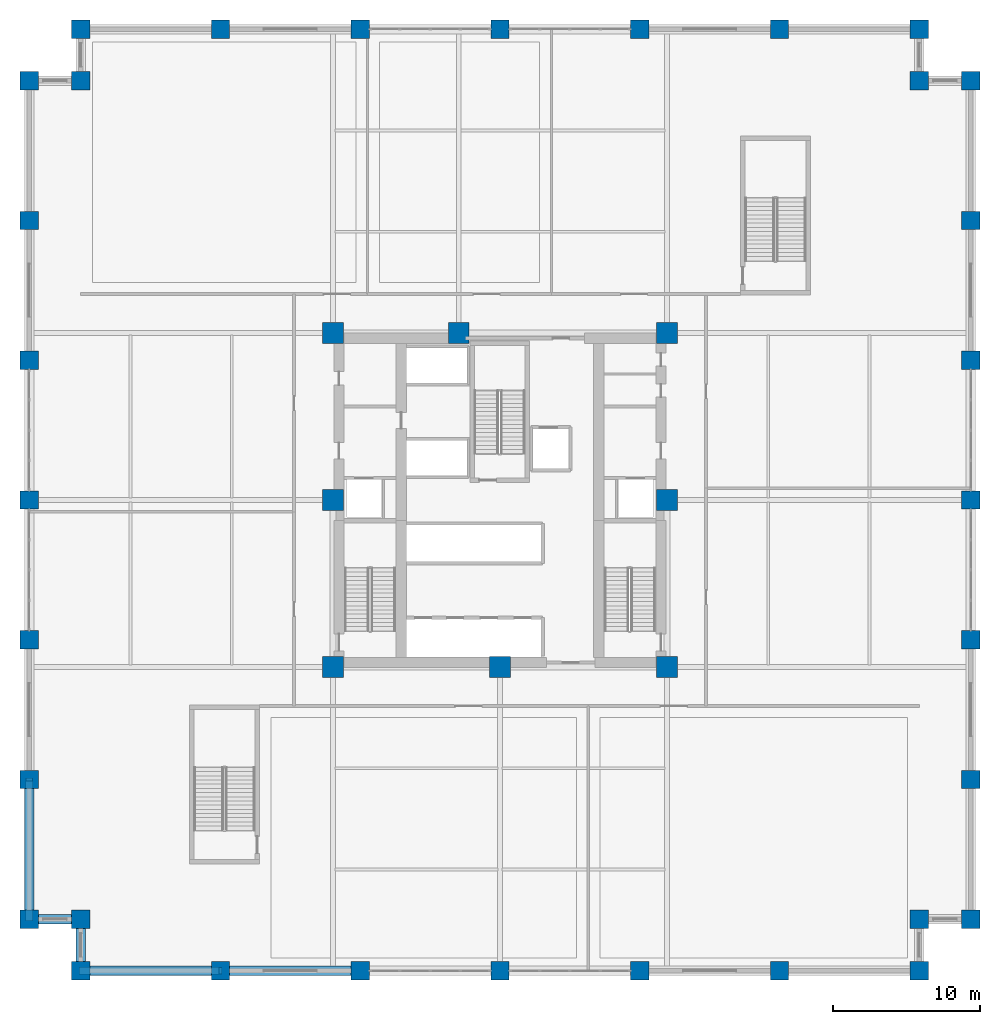
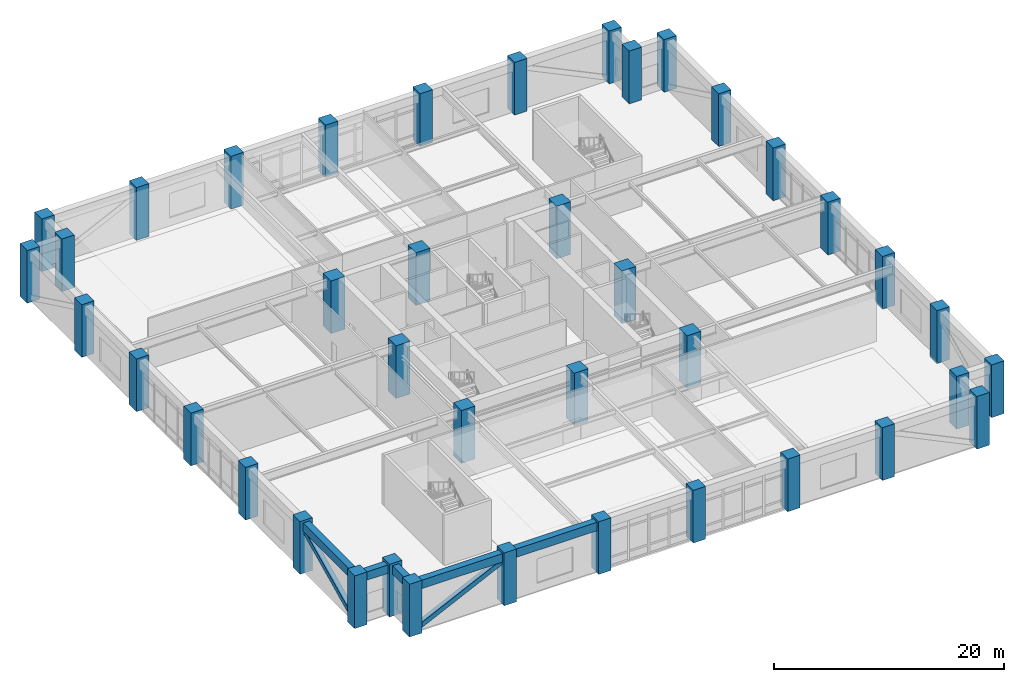
# One storey, part 1 of 21: 40 columns, 5 beams, 2 members.
"""IFC4 building model written with IfcOpenShell, lengths in metres."""

import ifcopenshell
import ifcopenshell.guid

model = None  # the IFC model being written
_history = None  # IfcOwnerHistory: only IFC2X3 demands one
_inside = {}  # id of a spatial element -> (the spatial element, [elements in it])
_under = {}  # id of a project, library or spatial element -> (it, [spatial elements below it])
_declared = {}  # id of a project -> (the project, [libraries it declares])
_typed = {}  # id of a type object -> (the type object, [elements of that type])
_made_of = {}  # id of a material, layer set ... -> (it, [elements and type objects made of it])


def new_model(schema):
    """Start an empty IFC model of exactly this schema.

    Asked for "IFC4X3", IfcOpenShell would pick the latest addendum, in which some entities
    have other attributes; the version numbers below select the first issue.
    IFC2X3 requires an IfcOwnerHistory on every rooted entity: one is made here for all.
    """
    global model, _history
    if schema == "IFC4X3":
        model = ifcopenshell.file(schema_version=(4, 3, 0, 0))
    else:
        model = ifcopenshell.file(schema=schema)
    _inside.clear()
    _under.clear()
    _declared.clear()
    _typed.clear()
    _made_of.clear()
    _history = None
    if model.schema == "IFC2X3":
        org = make("IfcOrganization", Name="unknown")
        user = make(
            "IfcPersonAndOrganization",
            ThePerson=make("IfcPerson", FamilyName="unknown"),
            TheOrganization=org,
        )
        app = make(
            "IfcApplication",
            ApplicationDeveloper=org,
            Version="unknown",
            ApplicationFullName="unknown",
            ApplicationIdentifier="unknown",
        )
        _history = make(
            "IfcOwnerHistory",
            OwningUser=user,
            OwningApplication=app,
            ChangeAction="ADDED",
            CreationDate=0,
        )
    return model


def make(cls, **values):
    """One entity of the class cls with the attributes given. An attribute that is None is left unset."""
    return model.create_entity(
        cls, **{name: value for name, value in values.items() if value is not None}
    )


def rooted(cls, **values):
    """An entity with a GlobalId (a new one), such as an element, a storey or a relation."""
    return make(cls, GlobalId=ifcopenshell.guid.new(), OwnerHistory=_history, **values)


def si_unit(unit_type, name, prefix=None):
    """IfcSIUnit, for example si_unit("LENGTHUNIT", "METRE", prefix="MILLI")."""
    return make("IfcSIUnit", UnitType=unit_type, Prefix=prefix, Name=name)


def assignment(units):
    """IfcUnitAssignment: the units of a project."""
    return None if units is None else make("IfcUnitAssignment", Units=units)


def point(xyz):
    """IfcCartesianPoint."""
    return None if xyz is None else make("IfcCartesianPoint", Coordinates=xyz)


def direction(xyz):
    """IfcDirection."""
    return None if xyz is None else make("IfcDirection", DirectionRatios=xyz)


def frame(location, z_axis=None, x_axis=None):
    """IfcAxis2Placement3D, a coordinate frame: its origin and axes. An axis left out is left unset."""
    return make(
        "IfcAxis2Placement3D",
        Location=point(location),
        Axis=direction(z_axis),
        RefDirection=direction(x_axis),
    )


def frame_2d(location, x_axis=None):
    """IfcAxis2Placement2D, a coordinate frame in the plane: its origin and x axis."""
    return make(
        "IfcAxis2Placement2D", Location=point(location), RefDirection=direction(x_axis)
    )


def origin():
    """The frame at (0, 0, 0) with its axes left unset."""
    return frame((0.0, 0.0, 0.0))


def origin_2d():
    """The frame at (0, 0) in the plane with its x axis left unset."""
    return frame_2d((0.0, 0.0))


def place(relative_to, where):
    """IfcLocalPlacement: puts the frame where relative to a parent placement (None: the world)."""
    return make(
        "IfcLocalPlacement", PlacementRelTo=relative_to, RelativePlacement=where
    )


def context(
    kind, dimensions, precision=None, world=None, true_north=None, identifier=None
):
    """IfcGeometricRepresentationContext, for example the 3D "Model" context."""
    return make(
        "IfcGeometricRepresentationContext",
        ContextIdentifier=identifier,
        ContextType=kind,
        CoordinateSpaceDimension=dimensions,
        Precision=precision,
        WorldCoordinateSystem=world,
        TrueNorth=true_north,
    )


def subcontext(parent, identifier, kind, view, scale=None):
    """IfcGeometricRepresentationSubContext, for example "Body" below "Model"."""
    return make(
        "IfcGeometricRepresentationSubContext",
        ContextIdentifier=identifier,
        ContextType=kind,
        ParentContext=parent,
        TargetScale=scale,
        TargetView=view,
    )


def project(units=None, contexts=None):
    """IfcProject with its units and contexts."""
    return rooted(
        "IfcProject",
        Name="project",
        RepresentationContexts=contexts,
        UnitsInContext=assignment(units),
    )


def spatial(cls, under=None, at=None, **own):
    """A site, building, storey or space (cls), placed at a placement, below another one or the project."""
    s = rooted(cls, ObjectPlacement=at, **own)
    if under is not None:
        _under.setdefault(under.id(), (under, []))[1].append(s)
    return s


def profile(cls, at=None, kind="AREA", **sizes):
    """A parametric profile (cls). Its sizes go by their IFC names, for example OverallWidth=200.0."""
    return make(cls, ProfileType=kind, Position=at, **sizes)


def rectangle(**sizes):
    """IfcRectangleProfileDef."""
    return profile("IfcRectangleProfileDef", **sizes)


def hollow_rectangle(**sizes):
    """IfcRectangleHollowProfileDef."""
    return profile("IfcRectangleHollowProfileDef", **sizes)


def extrude(swept, where, along, depth):
    """IfcExtrudedAreaSolid: the profile swept, set in the frame where, extruded along a direction by depth."""
    return make(
        "IfcExtrudedAreaSolid",
        SweptArea=swept,
        Position=where,
        ExtrudedDirection=direction(along),
        Depth=depth,
    )


def shape(context_of_items, identifier, shape_type, items):
    """IfcShapeRepresentation: the items that make up one representation, for example the "Body"."""
    return make(
        "IfcShapeRepresentation",
        ContextOfItems=context_of_items,
        RepresentationIdentifier=identifier,
        RepresentationType=shape_type,
        Items=items,
    )


def material(Name=None, Category=None):
    """IfcMaterial."""
    return make("IfcMaterial", Name=Name, Category=Category)


def material_profile(
    of_material, cross_section, Name=None, Category=None, Priority=None
):
    """IfcMaterialProfile: a cross section and its material."""
    return make(
        "IfcMaterialProfile",
        Name=Name,
        Material=of_material,
        Profile=cross_section,
        Priority=Priority,
        Category=Category,
    )


def profile_set(profiles, Name=None, composite=None):
    """IfcMaterialProfileSet."""
    return make(
        "IfcMaterialProfileSet",
        Name=Name,
        MaterialProfiles=profiles,
        CompositeProfile=composite,
    )


def made_of(thing, what):
    """Note that an element or type object is made of a material, layer set ...; save() writes the relation."""
    if what is not None:
        _made_of.setdefault(what.id(), (what, []))[1].append(thing)
    return thing


def type_object(cls, material=None, **own):
    """A type object (cls), such as IfcWallType, which elements share."""
    return made_of(rooted(cls, **own), material)


def element(
    cls,
    number,
    at=None,
    inside=None,
    cuts=None,
    type_object=None,
    material=None,
    context=None,
    identifier="Body",
    shape_type=None,
    held_by="IfcProductDefinitionShape",
    body=None,
    shapes=None,
    **own,
):
    """One element of the class cls, such as IfcWall. Its Tag is "e" and its number.

    at: its placement. inside: the storey or other place that contains it. cuts: it is an
    opening in that element (IfcRelVoidsElement). A single representation is given by context,
    identifier, shape_type and body (its items); several are given by shapes. held_by: the class
    of the entity that holds the representations. save() writes the other relations.
    """
    e = rooted(cls, Tag="e%d" % number, ObjectPlacement=at, **own)
    if body is not None:
        shapes = [shape(context, identifier, shape_type, body)]
    if shapes is not None:
        e.Representation = make(held_by, Representations=shapes)
    if inside is not None:
        _inside.setdefault(inside.id(), (inside, []))[1].append(e)
    if cuts is not None:
        rooted(
            "IfcRelVoidsElement", RelatingBuildingElement=cuts, RelatedOpeningElement=e
        )
    if type_object is not None:
        _typed.setdefault(type_object.id(), (type_object, []))[1].append(e)
    return made_of(e, material)


def aggregate(whole, parts):
    """IfcRelAggregates: a whole, such as a stair, and the parts it consists of."""
    return rooted("IfcRelAggregates", RelatingObject=whole, RelatedObjects=parts)


def save(model, path):
    """Write the relations noted so far, then the file.

    IfcRelAggregates (storeys below a building ...), IfcRelContainedInSpatialStructure (elements
    in a storey), IfcRelDefinesByType, IfcRelAssociatesMaterial and IfcRelDeclares: one each for
    every whole, place, type object, material and project.
    """
    for whole, parts in _under.values():
        aggregate(whole, parts)
    for where, things in _inside.values():
        rooted(
            "IfcRelContainedInSpatialStructure",
            RelatedElements=things,
            RelatingStructure=where,
        )
    for kind, things in _typed.values():
        rooted("IfcRelDefinesByType", RelatedObjects=things, RelatingType=kind)
    for what, things in _made_of.values():
        rooted("IfcRelAssociatesMaterial", RelatedObjects=things, RelatingMaterial=what)
    for by, libraries in _declared.values():
        rooted("IfcRelDeclares", RelatingContext=by, RelatedDefinitions=libraries)
    model.write(path)


model = new_model("IFC4")

# Units and contexts
model_context = context("Model", 3, precision=1e-05, world=origin(), true_north=direction((0.0, 1.0)))
body_context = subcontext(model_context, "Body", "Model", "MODEL_VIEW")
ifc_project = project(units=[si_unit("LENGTHUNIT", "METRE"), si_unit("AREAUNIT", "SQUARE_METRE"), si_unit("VOLUMEUNIT", "CUBIC_METRE"), si_unit("PLANEANGLEUNIT", "RADIAN"), si_unit("MASSUNIT", "GRAM", prefix="KILO")], contexts=[model_context])

# Site, building, storey
site_placement = place(None, origin())
site = spatial("IfcSite", under=ifc_project, at=site_placement, CompositionType="ELEMENT")
building_placement = place(site_placement, origin())
building = spatial("IfcBuilding", under=site, at=building_placement, Name="Nhamokura Convention Tower", CompositionType="ELEMENT")
storey_placement = place(building_placement, frame((0.0, 0.0, 6.64990234375)))
storey = spatial("IfcBuildingStorey", under=building, at=storey_placement, Name="L01", CompositionType="ELEMENT", Elevation=6.64990234375)

# Columns
ifc_material_1 = material(Name="Concrete C70/85", Category="concrete")
ifc_material_profile_1 = material_profile(ifc_material_1, rectangle(XDim=1.39990234375, YDim=1.39990234375, at=origin_2d()))
ifc_profile_set_1 = profile_set([ifc_material_profile_1], Name="Concrete C70/85")
column_type_1 = type_object("IfcColumnType", Name="TubeColumn_B_1400", PredefinedType="COLUMN", material=ifc_profile_set_1)
for number, where, z_axis, x_axis, name in (
    (1, (20.64990234375, 20.64990234375, 0.0), (0.0, 0.0, 1.0), (1.0, 0.0, 0.0), "L01 Core Column CC-SW"),
    (2, (32.0, 20.64990234375, 0.0), (0.0, 0.0, 1.0), (1.0, 0.0, 0.0), "L01 Core Column CC-S"),
    (3, (43.35009765625, 20.64990234375, 0.0), (0.0, 0.0, 1.0), (1.0, 0.0, 0.0), "L01 Core Column CC-SE"),
    (4, (43.35009765625, 32.0, 0.0), (0.0, 0.0, 1.0), (1.0, 0.0, 0.0), "L01 Core Column CC-E"),
    (5, (43.35009765625, 43.35009765625, 0.0), (0.0, 0.0, 1.0), (1.0, 0.0, 0.0), "L01 Core Column CC-NE"),
    (6, (29.199951171875, 43.35009765625, 0.0), (0.0, 0.0, 1.0), (1.0, 0.0, 0.0), "L01 Core Column CC-N"),
    (7, (20.64990234375, 43.35009765625, 0.0), (0.0, 0.0, 1.0), (1.0, 0.0, 0.0), "L01 Core Column CC-NW"),
    (8, (20.64990234375, 32.0, 0.0), (0.0, 0.0, 1.0), (1.0, 0.0, 0.0), "L01 Core Column CC-W"),
):
    element("IfcColumn", number, at=place(storey_placement, frame(where, z_axis=z_axis, x_axis=x_axis)), inside=storey, type_object=column_type_1, Name=name, PredefinedType="COLUMN", context=body_context, shape_type="SweptSolid", body=[
        extrude(rectangle(XDim=1.39990234375, YDim=1.39990234375, at=origin_2d()), origin(), (0.0, 0.0, 1.0), 5.60009765625),
    ])
ifc_material_2 = material(Name="Concrete C70/85", Category="concrete")
ifc_material_profile_2 = material_profile(ifc_material_2, rectangle(XDim=1.25, YDim=1.25, at=origin_2d()))
ifc_profile_set_2 = profile_set([ifc_material_profile_2], Name="Concrete C70/85")
column_type_2 = type_object("IfcColumnType", Name="TubeColumn_P_1250", PredefinedType="COLUMN", material=ifc_profile_set_2)
for number, where, z_axis, x_axis, name in (
    (9, (3.5, 0.0, 0.0), (0.0, 0.0, 1.0), (1.0, 0.0, 0.0), "L01 Perimeter Tube Column SW1"),
    (10, (3.5, 3.5, 0.0), (0.0, 0.0, 1.0), (1.0, 0.0, 0.0), "L01 Perimeter Tube Column SW0"),
    (11, (0.0, 3.5, 0.0), (0.0, 0.0, 1.0), (1.0, 0.0, 0.0), "L01 Perimeter Tube Column SW2"),
    (12, (60.5, 0.0, 0.0), (0.0, 0.0, 1.0), (1.0, 0.0, 0.0), "L01 Perimeter Tube Column SE1"),
    (13, (60.5, 3.5, 0.0), (0.0, 0.0, 1.0), (1.0, 0.0, 0.0), "L01 Perimeter Tube Column SE0"),
    (14, (64.0, 3.5, 0.0), (0.0, 0.0, 1.0), (1.0, 0.0, 0.0), "L01 Perimeter Tube Column SE2"),
    (15, (64.0, 60.5, 0.0), (0.0, 0.0, 1.0), (1.0, 0.0, 0.0), "L01 Perimeter Tube Column NE1"),
    (16, (60.5, 60.5, 0.0), (0.0, 0.0, 1.0), (1.0, 0.0, 0.0), "L01 Perimeter Tube Column NE0"),
    (17, (60.5, 64.0, 0.0), (0.0, 0.0, 1.0), (1.0, 0.0, 0.0), "L01 Perimeter Tube Column NE2"),
    (18, (3.5, 64.0, 0.0), (0.0, 0.0, 1.0), (1.0, 0.0, 0.0), "L01 Perimeter Tube Column NW1"),
    (19, (3.5, 60.5, 0.0), (0.0, 0.0, 1.0), (1.0, 0.0, 0.0), "L01 Perimeter Tube Column NW0"),
    (20, (0.0, 60.5, 0.0), (0.0, 0.0, 1.0), (1.0, 0.0, 0.0), "L01 Perimeter Tube Column NW2"),
    (21, (13.0, 0.0, 0.0), (0.0, 0.0, 1.0), (1.0, 0.0, 0.0), "L01 Perimeter Tube Column S1"),
    (22, (13.0, 64.0, 0.0), (0.0, 0.0, 1.0), (1.0, 0.0, 0.0), "L01 Perimeter Tube Column N1"),
    (23, (0.0, 13.0, 0.0), (0.0, 0.0, 1.0), (1.0, 0.0, 0.0), "L01 Perimeter Tube Column W1"),
    (24, (64.0, 13.0, 0.0), (0.0, 0.0, 1.0), (1.0, 0.0, 0.0), "L01 Perimeter Tube Column E1"),
    (25, (22.5, 0.0, 0.0), (0.0, 0.0, 1.0), (1.0, 0.0, 0.0), "L01 Perimeter Tube Column S2"),
    (26, (22.5, 64.0, 0.0), (0.0, 0.0, 1.0), (1.0, 0.0, 0.0), "L01 Perimeter Tube Column N2"),
    (27, (0.0, 22.5, 0.0), (0.0, 0.0, 1.0), (1.0, 0.0, 0.0), "L01 Perimeter Tube Column W2"),
    (28, (64.0, 22.5, 0.0), (0.0, 0.0, 1.0), (1.0, 0.0, 0.0), "L01 Perimeter Tube Column E2"),
    (29, (32.0, 0.0, 0.0), (0.0, 0.0, 1.0), (1.0, 0.0, 0.0), "L01 Perimeter Tube Column S3"),
    (30, (32.0, 64.0, 0.0), (0.0, 0.0, 1.0), (1.0, 0.0, 0.0), "L01 Perimeter Tube Column N3"),
    (31, (0.0, 32.0, 0.0), (0.0, 0.0, 1.0), (1.0, 0.0, 0.0), "L01 Perimeter Tube Column W3"),
    (32, (64.0, 32.0, 0.0), (0.0, 0.0, 1.0), (1.0, 0.0, 0.0), "L01 Perimeter Tube Column E3"),
    (33, (41.5, 0.0, 0.0), (0.0, 0.0, 1.0), (1.0, 0.0, 0.0), "L01 Perimeter Tube Column S4"),
    (34, (41.5, 64.0, 0.0), (0.0, 0.0, 1.0), (1.0, 0.0, 0.0), "L01 Perimeter Tube Column N4"),
    (35, (0.0, 41.5, 0.0), (0.0, 0.0, 1.0), (1.0, 0.0, 0.0), "L01 Perimeter Tube Column W4"),
    (36, (64.0, 41.5, 0.0), (0.0, 0.0, 1.0), (1.0, 0.0, 0.0), "L01 Perimeter Tube Column E4"),
    (37, (51.0, 0.0, 0.0), (0.0, 0.0, 1.0), (1.0, 0.0, 0.0), "L01 Perimeter Tube Column S5"),
    (38, (51.0, 64.0, 0.0), (0.0, 0.0, 1.0), (1.0, 0.0, 0.0), "L01 Perimeter Tube Column N5"),
    (39, (0.0, 51.0, 0.0), (0.0, 0.0, 1.0), (1.0, 0.0, 0.0), "L01 Perimeter Tube Column W5"),
    (40, (64.0, 51.0, 0.0), (0.0, 0.0, 1.0), (1.0, 0.0, 0.0), "L01 Perimeter Tube Column E5"),
):
    element("IfcColumn", number, at=place(storey_placement, frame(where, z_axis=z_axis, x_axis=x_axis)), inside=storey, type_object=column_type_2, Name=name, PredefinedType="COLUMN", context=body_context, shape_type="SweptSolid", body=[
        extrude(rectangle(XDim=1.25, YDim=1.25, at=origin_2d()), origin(), (0.0, 0.0, 1.0), 5.60009765625),
    ])

# Members
ifc_material_3 = material(Name="Steel ASTM A572 Gr 50", Category="steel")
ifc_material_profile_3 = material_profile(ifc_material_3, hollow_rectangle(XDim=0.5, YDim=0.5, WallThickness=0.02490234375, at=origin_2d()))
ifc_profile_set_3 = profile_set([ifc_material_profile_3], Name="Steel ASTM A572 Gr 50")
member_type = type_object("IfcMemberType", Name="TubeBrace_HSS500", PredefinedType="BRACE", material=ifc_profile_set_3)
for number, where, z_axis, x_axis, name in (
    (41, (3.5, 0.0, 0.150146484375), (0.901520888263, 0.0, 0.432735586734), (0.0, 1.0, 0.0), "L01 Perimeter Tube Brace SOUTH Bay 0"),
    (42, (0.0, 3.5, 0.150146484375), (0.0, 0.901520888263, 0.432735586734), (-1.0, 0.0, 0.0), "L01 Perimeter Tube Brace WEST Bay 0"),
):
    element("IfcMember", number, at=place(storey_placement, frame(where, z_axis=z_axis, x_axis=x_axis)), inside=storey, type_object=member_type, Name=name, PredefinedType="BRACE", context=body_context, shape_type="SweptSolid", body=[
        extrude(hollow_rectangle(XDim=0.5, YDim=0.5, WallThickness=0.02490234375, at=origin_2d()), origin(), (0.0, 0.0, 1.0), 10.537841796875),
    ])

# Beams
ifc_material_4 = material(Name="Concrete C60/75", Category="concrete")
ifc_material_profile_4 = material_profile(ifc_material_4, rectangle(XDim=0.64990234375, YDim=0.89990234375, at=origin_2d()))
ifc_profile_set_4 = profile_set([ifc_material_profile_4], Name="Concrete C60/75")
beam_type = type_object("IfcBeamType", Name="TubeSpandrel_900", PredefinedType="SPANDREL", material=ifc_profile_set_4)
for number, where, z_axis, x_axis, name in (
    (43, (3.5, 0.0, 4.91015625), (1.0, 0.0, 0.0), (0.0, 1.0, 0.0), "L01 Perimeter Spandrel SOUTH 1"),
    (44, (13.0, 0.0, 4.91015625), (1.0, 0.0, 0.0), (0.0, 1.0, 0.0), "L01 Perimeter Spandrel SOUTH 2"),
    (45, (0.0, 3.5, 4.91015625), (0.0, 1.0, 0.0), (-1.0, 0.0, 0.0), "L01 Perimeter Spandrel WEST 1"),
):
    element("IfcBeam", number, at=place(storey_placement, frame(where, z_axis=z_axis, x_axis=x_axis)), inside=storey, type_object=beam_type, Name=name, PredefinedType="SPANDREL", context=body_context, shape_type="SweptSolid", body=[
        extrude(rectangle(XDim=0.64990234375, YDim=0.89990234375, at=origin_2d()), origin(), (0.0, 0.0, 1.0), 9.5),
    ])
for number, where, z_axis, x_axis, name in (
    (46, (3.5, 0.0, 4.91015625), (0.0, 1.0, 0.0), (-1.0, 0.0, 0.0), "L01 Notch Spandrel SW1"),
    (47, (3.5, 3.5, 4.91015625), (-1.0, 0.0, 0.0), (0.0, -1.0, 0.0), "L01 Notch Spandrel SW2"),
):
    element("IfcBeam", number, at=place(storey_placement, frame(where, z_axis=z_axis, x_axis=x_axis)), inside=storey, type_object=beam_type, Name=name, PredefinedType="SPANDREL", context=body_context, shape_type="SweptSolid", body=[
        extrude(rectangle(XDim=0.64990234375, YDim=0.89990234375, at=origin_2d()), origin(), (0.0, 0.0, 1.0), 3.5),
    ])

save(model, "model.ifc")
